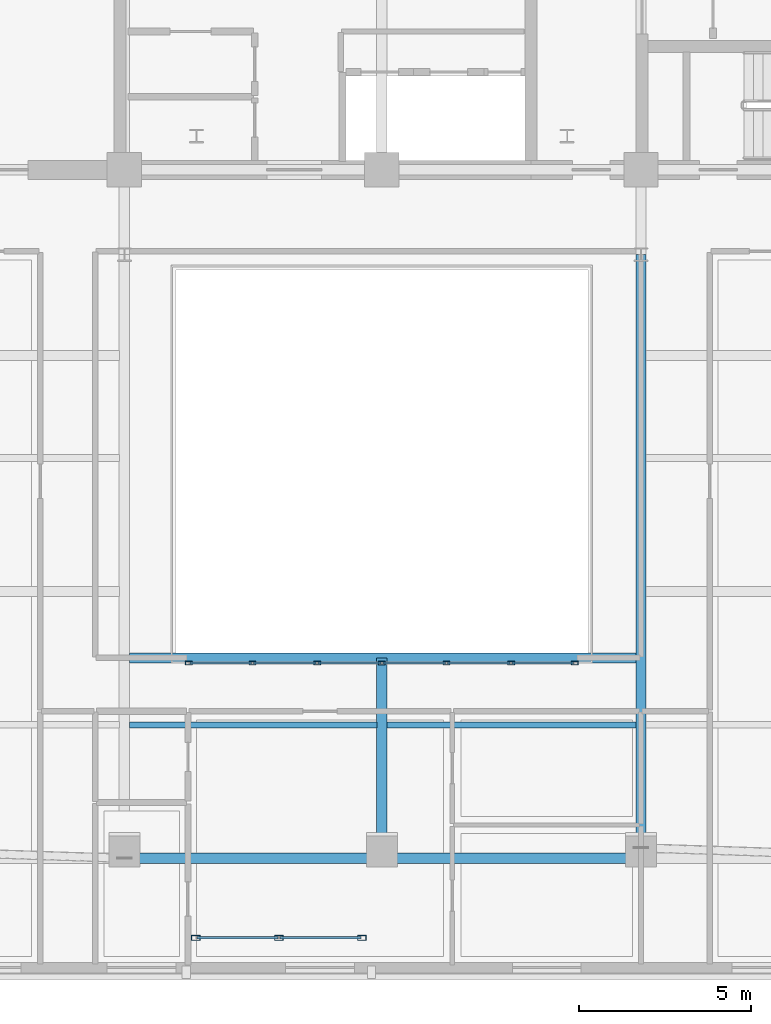
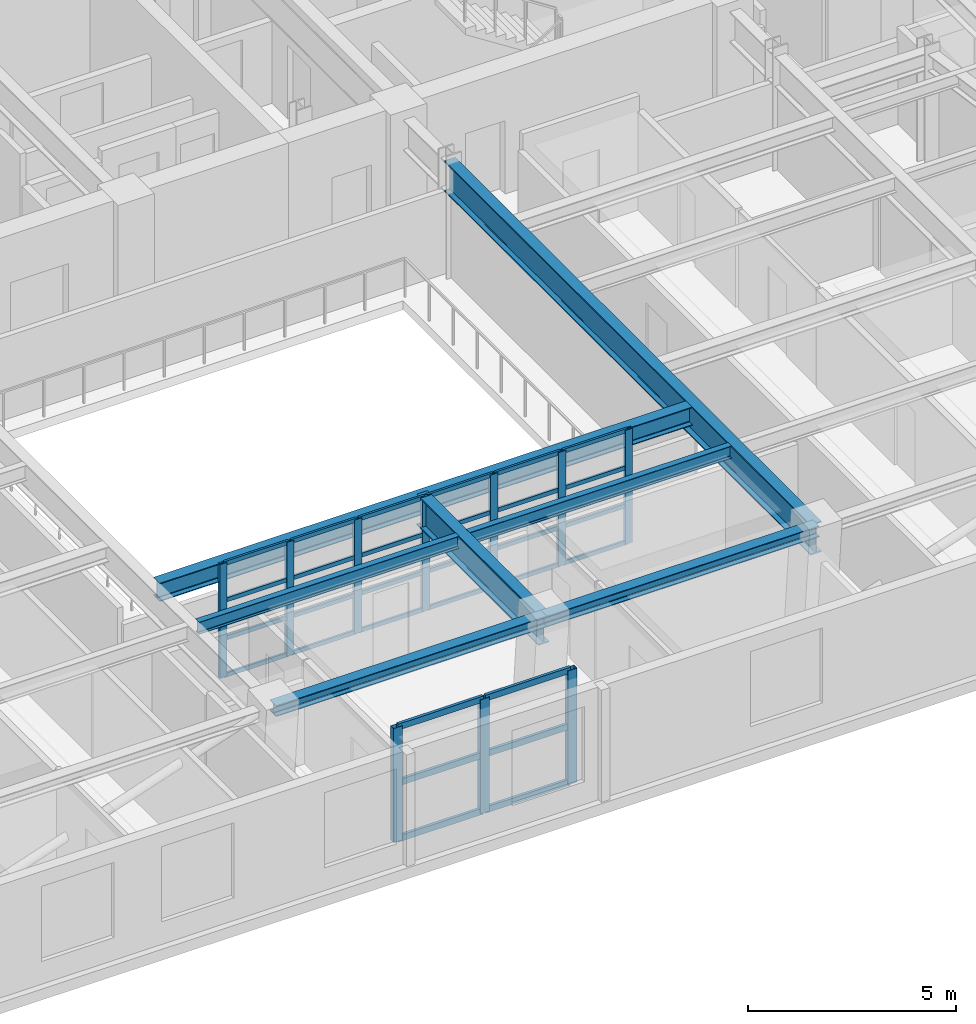
# One storey, part 2 of 15: 40 members, 7 beams, 2 elements without a shape of their own.
"""IFC4 building model written with IfcOpenShell, lengths in metres."""

from ifc_helpers import new_model, si_unit, direction, frame, origin, origin_2d, place, context, subcontext, project, spatial, hollow_rectangle, i_section, extrude, material, layer, layer_set, material_profile, profile_set, type_object, element, aggregate, save


model = new_model("IFC4")

# Units and contexts
model_context = context("Model", 3, precision=1e-05, world=origin(), true_north=direction((0.0, 1.0)))
body_context = subcontext(model_context, "Body", "Model", "MODEL_VIEW")
ifc_project = project(units=[si_unit("LENGTHUNIT", "METRE"), si_unit("AREAUNIT", "SQUARE_METRE"), si_unit("VOLUMEUNIT", "CUBIC_METRE"), si_unit("PLANEANGLEUNIT", "RADIAN"), si_unit("MASSUNIT", "GRAM", prefix="KILO")], contexts=[model_context])

# Site, building, storey
site_placement = place(None, origin())
site = spatial("IfcSite", under=ifc_project, at=site_placement, CompositionType="ELEMENT")
building_placement = place(site_placement, origin())
building = spatial("IfcBuilding", under=site, at=building_placement, Name="Zarnavel Station Tower", CompositionType="ELEMENT")
storey_placement = place(building_placement, frame((0.0, 0.0, 200.39990234375)))
storey = spatial("IfcBuildingStorey", under=building, at=storey_placement, Name="L54", CompositionType="ELEMENT", Elevation=200.39990234375)

# Curtain wall, members
ifc_material_1 = material(Name="Aluminium Dark Anodised and Solar-Control Glass", Category="aluminium")
ifc_layer_1 = layer(ifc_material_1, 0.179931640625)
ifc_layer_set_1 = layer_set([ifc_layer_1], Name="CWS5")
curtain_wall_type_1 = type_object("IfcCurtainWallType", Name="CWS5", PredefinedType="NOTDEFINED", material=ifc_layer_set_1)
curtain_wall_1_placement = place(storey_placement, origin())
curtain_wall_1 = element("IfcCurtainWall", 1, at=curtain_wall_1_placement, inside=storey, type_object=curtain_wall_type_1, Name="L54 Curtain Wall CWS5-L54-AS", PredefinedType="NOTDEFINED")
ifc_material_2 = material(Name="Steel S355J2 (Black Fluoropolymer Coated)", Category="steel")
ifc_material_profile_1 = material_profile(ifc_material_2, hollow_rectangle(XDim=0.10009765625, YDim=0.199951171875, WallThickness=0.008056640625, at=origin_2d()), Name="RHS200x100x8")
ifc_profile_set_1 = profile_set([ifc_material_profile_1], Name="Steel S355J2 (Black Fluoropolymer Coated)")
member_type_1 = type_object("IfcMemberType", Name="CWS5_MUL", PredefinedType="MULLION", material=ifc_profile_set_1)
member_1_placement = place(storey_placement, frame((23.179931640625, 13.449951171875, 0.0), z_axis=(0.0, 0.0, 1.0), x_axis=(0.0, 1.0, 0.0)))
member_1 = element("IfcMember", 2, at=member_1_placement, type_object=member_type_1, Name="CW5 mullion 1", PredefinedType="MULLION", context=body_context, shape_type="SweptSolid", body=[
    extrude(hollow_rectangle(XDim=0.10009765625, YDim=0.199951171875, WallThickness=0.008056640625, at=origin_2d()), origin(), (0.0, 0.0, 1.0), 3.340087890625),
])
member_2_placement = place(storey_placement, frame((25.033447265625, 13.449951171875, 0.0), z_axis=(0.0, 0.0, 1.0), x_axis=(0.0, 1.0, 0.0)))
member_2 = element("IfcMember", 3, at=member_2_placement, type_object=member_type_1, Name="CW5 mullion 2", PredefinedType="MULLION", context=body_context, shape_type="SweptSolid", body=[
    extrude(hollow_rectangle(XDim=0.10009765625, YDim=0.199951171875, WallThickness=0.008056640625, at=origin_2d()), origin(), (0.0, 0.0, 1.0), 3.340087890625),
])
member_3_placement = place(storey_placement, frame((26.916748046875, 13.449951171875, 0.0), z_axis=(0.0, 0.0, 1.0), x_axis=(0.0, 1.0, 0.0)))
member_3 = element("IfcMember", 4, at=member_3_placement, type_object=member_type_1, Name="CW5 mullion 3", PredefinedType="MULLION", context=body_context, shape_type="SweptSolid", body=[
    extrude(hollow_rectangle(XDim=0.10009765625, YDim=0.199951171875, WallThickness=0.008056640625, at=origin_2d()), origin(), (0.0, 0.0, 1.0), 3.340087890625),
])
member_4_placement = place(storey_placement, frame((28.800048828125, 13.449951171875, 0.0), z_axis=(0.0, 0.0, 1.0), x_axis=(0.0, 1.0, 0.0)))
member_4 = element("IfcMember", 5, at=member_4_placement, type_object=member_type_1, Name="CW5 mullion 4", PredefinedType="MULLION", context=body_context, shape_type="SweptSolid", body=[
    extrude(hollow_rectangle(XDim=0.10009765625, YDim=0.199951171875, WallThickness=0.008056640625, at=origin_2d()), origin(), (0.0, 0.0, 1.0), 3.340087890625),
])
member_5_placement = place(storey_placement, frame((30.683349609375, 13.449951171875, 0.0), z_axis=(0.0, 0.0, 1.0), x_axis=(0.0, 1.0, 0.0)))
member_5 = element("IfcMember", 6, at=member_5_placement, type_object=member_type_1, Name="CW5 mullion 5", PredefinedType="MULLION", context=body_context, shape_type="SweptSolid", body=[
    extrude(hollow_rectangle(XDim=0.10009765625, YDim=0.199951171875, WallThickness=0.008056640625, at=origin_2d()), origin(), (0.0, 0.0, 1.0), 3.340087890625),
])
member_6_placement = place(storey_placement, frame((32.566650390625, 13.449951171875, 0.0), z_axis=(0.0, 0.0, 1.0), x_axis=(0.0, 1.0, 0.0)))
member_6 = element("IfcMember", 7, at=member_6_placement, type_object=member_type_1, Name="CW5 mullion 6", PredefinedType="MULLION", context=body_context, shape_type="SweptSolid", body=[
    extrude(hollow_rectangle(XDim=0.10009765625, YDim=0.199951171875, WallThickness=0.008056640625, at=origin_2d()), origin(), (0.0, 0.0, 1.0), 3.340087890625),
])
member_7_placement = place(storey_placement, frame((34.419921875, 13.449951171875, 0.0), z_axis=(0.0, 0.0, 1.0), x_axis=(0.0, 1.0, 0.0)))
member_7 = element("IfcMember", 8, at=member_7_placement, type_object=member_type_1, Name="CW5 mullion 7", PredefinedType="MULLION", context=body_context, shape_type="SweptSolid", body=[
    extrude(hollow_rectangle(XDim=0.10009765625, YDim=0.199951171875, WallThickness=0.008056640625, at=origin_2d()), origin(), (0.0, 0.0, 1.0), 3.340087890625),
])
ifc_material_3 = material(Name="Steel S355J2 (Black Fluoropolymer Coated)", Category="steel")
ifc_material_profile_2 = material_profile(ifc_material_3, hollow_rectangle(XDim=0.06005859375, YDim=0.1201171875, WallThickness=0.0048828125, at=origin_2d()), Name="RHS120x60x5")
ifc_profile_set_2 = profile_set([ifc_material_profile_2], Name="Steel S355J2 (Black Fluoropolymer Coated)")
member_type_2 = type_object("IfcMemberType", Name="CWS5_TRN", PredefinedType="USERDEFINED", material=ifc_profile_set_2)
member_8_placement = place(storey_placement, frame((23.2099609375, 13.449951171875, 0.030029296875), z_axis=(1.0, 0.0, 0.0), x_axis=(0.0, 1.0, 0.0)))
member_8 = element("IfcMember", 9, at=member_8_placement, type_object=member_type_2, Name="CW5 transom 1.1", ObjectType="TRANSOM", PredefinedType="USERDEFINED", context=body_context, shape_type="SweptSolid", body=[
    extrude(hollow_rectangle(XDim=0.06005859375, YDim=0.1201171875, WallThickness=0.0048828125, at=origin_2d()), origin(), (0.0, 0.0, 1.0), 1.79345703125),
])
member_9_placement = place(storey_placement, frame((23.2099609375, 13.449951171875, 1.11328125), z_axis=(1.0, 0.0, 0.0), x_axis=(0.0, 1.0, 0.0)))
member_9 = element("IfcMember", 10, at=member_9_placement, type_object=member_type_2, Name="CW5 transom 1.2", ObjectType="TRANSOM", PredefinedType="USERDEFINED", context=body_context, shape_type="SweptSolid", body=[
    extrude(hollow_rectangle(XDim=0.06005859375, YDim=0.1201171875, WallThickness=0.0048828125, at=origin_2d()), origin(), (0.0, 0.0, 1.0), 1.79345703125),
])
member_10_placement = place(storey_placement, frame((23.2099609375, 13.449951171875, 2.226806640625), z_axis=(1.0, 0.0, 0.0), x_axis=(0.0, 1.0, 0.0)))
member_10 = element("IfcMember", 11, at=member_10_placement, type_object=member_type_2, Name="CW5 transom 1.3", ObjectType="TRANSOM", PredefinedType="USERDEFINED", context=body_context, shape_type="SweptSolid", body=[
    extrude(hollow_rectangle(XDim=0.06005859375, YDim=0.1201171875, WallThickness=0.0048828125, at=origin_2d()), origin(), (0.0, 0.0, 1.0), 1.79345703125),
])
member_11_placement = place(storey_placement, frame((23.2099609375, 13.449951171875, 3.31005859375), z_axis=(1.0, 0.0, 0.0), x_axis=(0.0, 1.0, 0.0)))
member_11 = element("IfcMember", 12, at=member_11_placement, type_object=member_type_2, Name="CW5 transom 1.4", ObjectType="TRANSOM", PredefinedType="USERDEFINED", context=body_context, shape_type="SweptSolid", body=[
    extrude(hollow_rectangle(XDim=0.06005859375, YDim=0.1201171875, WallThickness=0.0048828125, at=origin_2d()), origin(), (0.0, 0.0, 1.0), 1.79345703125),
])
member_12_placement = place(storey_placement, frame((25.063232421875, 13.449951171875, 0.030029296875), z_axis=(1.0, 0.0, 0.0), x_axis=(0.0, 1.0, 0.0)))
member_12 = element("IfcMember", 13, at=member_12_placement, type_object=member_type_2, Name="CW5 transom 2.1", ObjectType="TRANSOM", PredefinedType="USERDEFINED", context=body_context, shape_type="SweptSolid", body=[
    extrude(hollow_rectangle(XDim=0.06005859375, YDim=0.1201171875, WallThickness=0.0048828125, at=origin_2d()), origin(), (0.0, 0.0, 1.0), 1.823486328125),
])
member_13_placement = place(storey_placement, frame((25.063232421875, 13.449951171875, 1.11328125), z_axis=(1.0, 0.0, 0.0), x_axis=(0.0, 1.0, 0.0)))
member_13 = element("IfcMember", 14, at=member_13_placement, type_object=member_type_2, Name="CW5 transom 2.2", ObjectType="TRANSOM", PredefinedType="USERDEFINED", context=body_context, shape_type="SweptSolid", body=[
    extrude(hollow_rectangle(XDim=0.06005859375, YDim=0.1201171875, WallThickness=0.0048828125, at=origin_2d()), origin(), (0.0, 0.0, 1.0), 1.823486328125),
])
member_14_placement = place(storey_placement, frame((25.063232421875, 13.449951171875, 2.226806640625), z_axis=(1.0, 0.0, 0.0), x_axis=(0.0, 1.0, 0.0)))
member_14 = element("IfcMember", 15, at=member_14_placement, type_object=member_type_2, Name="CW5 transom 2.3", ObjectType="TRANSOM", PredefinedType="USERDEFINED", context=body_context, shape_type="SweptSolid", body=[
    extrude(hollow_rectangle(XDim=0.06005859375, YDim=0.1201171875, WallThickness=0.0048828125, at=origin_2d()), origin(), (0.0, 0.0, 1.0), 1.823486328125),
])
member_15_placement = place(storey_placement, frame((25.063232421875, 13.449951171875, 3.31005859375), z_axis=(1.0, 0.0, 0.0), x_axis=(0.0, 1.0, 0.0)))
member_15 = element("IfcMember", 16, at=member_15_placement, type_object=member_type_2, Name="CW5 transom 2.4", ObjectType="TRANSOM", PredefinedType="USERDEFINED", context=body_context, shape_type="SweptSolid", body=[
    extrude(hollow_rectangle(XDim=0.06005859375, YDim=0.1201171875, WallThickness=0.0048828125, at=origin_2d()), origin(), (0.0, 0.0, 1.0), 1.823486328125),
])
member_16_placement = place(storey_placement, frame((26.94677734375, 13.449951171875, 0.030029296875), z_axis=(1.0, 0.0, 0.0), x_axis=(0.0, 1.0, 0.0)))
member_16 = element("IfcMember", 17, at=member_16_placement, type_object=member_type_2, Name="CW5 transom 3.1", ObjectType="TRANSOM", PredefinedType="USERDEFINED", context=body_context, shape_type="SweptSolid", body=[
    extrude(hollow_rectangle(XDim=0.06005859375, YDim=0.1201171875, WallThickness=0.0048828125, at=origin_2d()), origin(), (0.0, 0.0, 1.0), 1.8232421875),
])
member_17_placement = place(storey_placement, frame((26.94677734375, 13.449951171875, 1.11328125), z_axis=(1.0, 0.0, 0.0), x_axis=(0.0, 1.0, 0.0)))
member_17 = element("IfcMember", 18, at=member_17_placement, type_object=member_type_2, Name="CW5 transom 3.2", ObjectType="TRANSOM", PredefinedType="USERDEFINED", context=body_context, shape_type="SweptSolid", body=[
    extrude(hollow_rectangle(XDim=0.06005859375, YDim=0.1201171875, WallThickness=0.0048828125, at=origin_2d()), origin(), (0.0, 0.0, 1.0), 1.8232421875),
])
member_18_placement = place(storey_placement, frame((26.94677734375, 13.449951171875, 2.226806640625), z_axis=(1.0, 0.0, 0.0), x_axis=(0.0, 1.0, 0.0)))
member_18 = element("IfcMember", 19, at=member_18_placement, type_object=member_type_2, Name="CW5 transom 3.3", ObjectType="TRANSOM", PredefinedType="USERDEFINED", context=body_context, shape_type="SweptSolid", body=[
    extrude(hollow_rectangle(XDim=0.06005859375, YDim=0.1201171875, WallThickness=0.0048828125, at=origin_2d()), origin(), (0.0, 0.0, 1.0), 1.8232421875),
])
member_19_placement = place(storey_placement, frame((26.94677734375, 13.449951171875, 3.31005859375), z_axis=(1.0, 0.0, 0.0), x_axis=(0.0, 1.0, 0.0)))
member_19 = element("IfcMember", 20, at=member_19_placement, type_object=member_type_2, Name="CW5 transom 3.4", ObjectType="TRANSOM", PredefinedType="USERDEFINED", context=body_context, shape_type="SweptSolid", body=[
    extrude(hollow_rectangle(XDim=0.06005859375, YDim=0.1201171875, WallThickness=0.0048828125, at=origin_2d()), origin(), (0.0, 0.0, 1.0), 1.8232421875),
])
member_20_placement = place(storey_placement, frame((28.830078125, 13.449951171875, 0.030029296875), z_axis=(1.0, 0.0, 0.0), x_axis=(0.0, 1.0, 0.0)))
member_20 = element("IfcMember", 21, at=member_20_placement, type_object=member_type_2, Name="CW5 transom 4.1", ObjectType="TRANSOM", PredefinedType="USERDEFINED", context=body_context, shape_type="SweptSolid", body=[
    extrude(hollow_rectangle(XDim=0.06005859375, YDim=0.1201171875, WallThickness=0.0048828125, at=origin_2d()), origin(), (0.0, 0.0, 1.0), 1.8232421875),
])
member_21_placement = place(storey_placement, frame((28.830078125, 13.449951171875, 1.11328125), z_axis=(1.0, 0.0, 0.0), x_axis=(0.0, 1.0, 0.0)))
member_21 = element("IfcMember", 22, at=member_21_placement, type_object=member_type_2, Name="CW5 transom 4.2", ObjectType="TRANSOM", PredefinedType="USERDEFINED", context=body_context, shape_type="SweptSolid", body=[
    extrude(hollow_rectangle(XDim=0.06005859375, YDim=0.1201171875, WallThickness=0.0048828125, at=origin_2d()), origin(), (0.0, 0.0, 1.0), 1.8232421875),
])
member_22_placement = place(storey_placement, frame((28.830078125, 13.449951171875, 2.226806640625), z_axis=(1.0, 0.0, 0.0), x_axis=(0.0, 1.0, 0.0)))
member_22 = element("IfcMember", 23, at=member_22_placement, type_object=member_type_2, Name="CW5 transom 4.3", ObjectType="TRANSOM", PredefinedType="USERDEFINED", context=body_context, shape_type="SweptSolid", body=[
    extrude(hollow_rectangle(XDim=0.06005859375, YDim=0.1201171875, WallThickness=0.0048828125, at=origin_2d()), origin(), (0.0, 0.0, 1.0), 1.8232421875),
])
member_23_placement = place(storey_placement, frame((28.830078125, 13.449951171875, 3.31005859375), z_axis=(1.0, 0.0, 0.0), x_axis=(0.0, 1.0, 0.0)))
member_23 = element("IfcMember", 24, at=member_23_placement, type_object=member_type_2, Name="CW5 transom 4.4", ObjectType="TRANSOM", PredefinedType="USERDEFINED", context=body_context, shape_type="SweptSolid", body=[
    extrude(hollow_rectangle(XDim=0.06005859375, YDim=0.1201171875, WallThickness=0.0048828125, at=origin_2d()), origin(), (0.0, 0.0, 1.0), 1.8232421875),
])
member_24_placement = place(storey_placement, frame((30.71337890625, 13.449951171875, 0.030029296875), z_axis=(1.0, 0.0, 0.0), x_axis=(0.0, 1.0, 0.0)))
member_24 = element("IfcMember", 25, at=member_24_placement, type_object=member_type_2, Name="CW5 transom 5.1", ObjectType="TRANSOM", PredefinedType="USERDEFINED", context=body_context, shape_type="SweptSolid", body=[
    extrude(hollow_rectangle(XDim=0.06005859375, YDim=0.1201171875, WallThickness=0.0048828125, at=origin_2d()), origin(), (0.0, 0.0, 1.0), 1.8232421875),
])
member_25_placement = place(storey_placement, frame((30.71337890625, 13.449951171875, 1.11328125), z_axis=(1.0, 0.0, 0.0), x_axis=(0.0, 1.0, 0.0)))
member_25 = element("IfcMember", 26, at=member_25_placement, type_object=member_type_2, Name="CW5 transom 5.2", ObjectType="TRANSOM", PredefinedType="USERDEFINED", context=body_context, shape_type="SweptSolid", body=[
    extrude(hollow_rectangle(XDim=0.06005859375, YDim=0.1201171875, WallThickness=0.0048828125, at=origin_2d()), origin(), (0.0, 0.0, 1.0), 1.8232421875),
])
member_26_placement = place(storey_placement, frame((30.71337890625, 13.449951171875, 2.226806640625), z_axis=(1.0, 0.0, 0.0), x_axis=(0.0, 1.0, 0.0)))
member_26 = element("IfcMember", 27, at=member_26_placement, type_object=member_type_2, Name="CW5 transom 5.3", ObjectType="TRANSOM", PredefinedType="USERDEFINED", context=body_context, shape_type="SweptSolid", body=[
    extrude(hollow_rectangle(XDim=0.06005859375, YDim=0.1201171875, WallThickness=0.0048828125, at=origin_2d()), origin(), (0.0, 0.0, 1.0), 1.8232421875),
])
member_27_placement = place(storey_placement, frame((30.71337890625, 13.449951171875, 3.31005859375), z_axis=(1.0, 0.0, 0.0), x_axis=(0.0, 1.0, 0.0)))
member_27 = element("IfcMember", 28, at=member_27_placement, type_object=member_type_2, Name="CW5 transom 5.4", ObjectType="TRANSOM", PredefinedType="USERDEFINED", context=body_context, shape_type="SweptSolid", body=[
    extrude(hollow_rectangle(XDim=0.06005859375, YDim=0.1201171875, WallThickness=0.0048828125, at=origin_2d()), origin(), (0.0, 0.0, 1.0), 1.8232421875),
])
member_28_placement = place(storey_placement, frame((32.5966796875, 13.449951171875, 0.030029296875), z_axis=(1.0, 0.0, 0.0), x_axis=(0.0, 1.0, 0.0)))
member_28 = element("IfcMember", 29, at=member_28_placement, type_object=member_type_2, Name="CW5 transom 6.1", ObjectType="TRANSOM", PredefinedType="USERDEFINED", context=body_context, shape_type="SweptSolid", body=[
    extrude(hollow_rectangle(XDim=0.06005859375, YDim=0.1201171875, WallThickness=0.0048828125, at=origin_2d()), origin(), (0.0, 0.0, 1.0), 1.793212890625),
])
member_29_placement = place(storey_placement, frame((32.5966796875, 13.449951171875, 1.11328125), z_axis=(1.0, 0.0, 0.0), x_axis=(0.0, 1.0, 0.0)))
member_29 = element("IfcMember", 30, at=member_29_placement, type_object=member_type_2, Name="CW5 transom 6.2", ObjectType="TRANSOM", PredefinedType="USERDEFINED", context=body_context, shape_type="SweptSolid", body=[
    extrude(hollow_rectangle(XDim=0.06005859375, YDim=0.1201171875, WallThickness=0.0048828125, at=origin_2d()), origin(), (0.0, 0.0, 1.0), 1.793212890625),
])
member_30_placement = place(storey_placement, frame((32.5966796875, 13.449951171875, 2.226806640625), z_axis=(1.0, 0.0, 0.0), x_axis=(0.0, 1.0, 0.0)))
member_30 = element("IfcMember", 31, at=member_30_placement, type_object=member_type_2, Name="CW5 transom 6.3", ObjectType="TRANSOM", PredefinedType="USERDEFINED", context=body_context, shape_type="SweptSolid", body=[
    extrude(hollow_rectangle(XDim=0.06005859375, YDim=0.1201171875, WallThickness=0.0048828125, at=origin_2d()), origin(), (0.0, 0.0, 1.0), 1.793212890625),
])
member_31_placement = place(storey_placement, frame((32.5966796875, 13.449951171875, 3.31005859375), z_axis=(1.0, 0.0, 0.0), x_axis=(0.0, 1.0, 0.0)))
member_31 = element("IfcMember", 32, at=member_31_placement, type_object=member_type_2, Name="CW5 transom 6.4", ObjectType="TRANSOM", PredefinedType="USERDEFINED", context=body_context, shape_type="SweptSolid", body=[
    extrude(hollow_rectangle(XDim=0.06005859375, YDim=0.1201171875, WallThickness=0.0048828125, at=origin_2d()), origin(), (0.0, 0.0, 1.0), 1.793212890625),
])
aggregate(curtain_wall_1, [member_1, member_2, member_3, member_4, member_5, member_6, member_7, member_8, member_9, member_10, member_11, member_12, member_13, member_14, member_15, member_16, member_17, member_18, member_19, member_20, member_21, member_22, member_23, member_24, member_25, member_26, member_27, member_28, member_29, member_30, member_31])

ifc_material_4 = material(Name="Aluminium Dark Anodised and Solar-Control Glass", Category="aluminium")
ifc_layer_2 = layer(ifc_material_4, 0.179931640625)
ifc_layer_set_2 = layer_set([ifc_layer_2], Name="CWS6")
curtain_wall_type_2 = type_object("IfcCurtainWallType", Name="CWS6", PredefinedType="NOTDEFINED", material=ifc_layer_set_2)
curtain_wall_2_placement = place(storey_placement, origin())
curtain_wall_2 = element("IfcCurtainWall", 33, at=curtain_wall_2_placement, inside=storey, type_object=curtain_wall_type_2, Name="L54 Curtain Wall CWS6-LOG-L54", PredefinedType="NOTDEFINED")
ifc_material_5 = material(Name="Steel S355J2 (Black Fluoropolymer Coated)", Category="steel")
ifc_material_profile_3 = material_profile(ifc_material_5, hollow_rectangle(XDim=0.14990234375, YDim=0.25, WallThickness=0.010009765625, at=origin_2d()), Name="RHS250x150x10")
ifc_profile_set_3 = profile_set([ifc_material_profile_3], Name="Steel S355J2 (Black Fluoropolymer Coated)")
member_type_3 = type_object("IfcMemberType", Name="CWS6_MUL", PredefinedType="MULLION", material=ifc_profile_set_3)
member_32_placement = place(storey_placement, frame((23.3798828125, 5.449951171875, 0.0), z_axis=(0.0, 0.0, 1.0), x_axis=(0.0, 1.0, 0.0)))
member_32 = element("IfcMember", 34, at=member_32_placement, type_object=member_type_3, Name="CW6 mullion 1", PredefinedType="MULLION", context=body_context, shape_type="SweptSolid", body=[
    extrude(hollow_rectangle(XDim=0.14990234375, YDim=0.25, WallThickness=0.010009765625, at=origin_2d()), origin(), (0.0, 0.0, 1.0), 3.340087890625),
])
member_33_placement = place(storey_placement, frame((25.800048828125, 5.449951171875, 0.0), z_axis=(0.0, 0.0, 1.0), x_axis=(0.0, 1.0, 0.0)))
member_33 = element("IfcMember", 35, at=member_33_placement, type_object=member_type_3, Name="CW6 mullion 2", PredefinedType="MULLION", context=body_context, shape_type="SweptSolid", body=[
    extrude(hollow_rectangle(XDim=0.14990234375, YDim=0.25, WallThickness=0.010009765625, at=origin_2d()), origin(), (0.0, 0.0, 1.0), 3.340087890625),
])
member_34_placement = place(storey_placement, frame((28.219970703125, 5.449951171875, 0.0), z_axis=(0.0, 0.0, 1.0), x_axis=(0.0, 1.0, 0.0)))
member_34 = element("IfcMember", 36, at=member_34_placement, type_object=member_type_3, Name="CW6 mullion 3", PredefinedType="MULLION", context=body_context, shape_type="SweptSolid", body=[
    extrude(hollow_rectangle(XDim=0.14990234375, YDim=0.25, WallThickness=0.010009765625, at=origin_2d()), origin(), (0.0, 0.0, 1.0), 3.340087890625),
])
ifc_material_6 = material(Name="Steel S355J2 (Black Fluoropolymer Coated)", Category="steel")
ifc_material_profile_4 = material_profile(ifc_material_6, hollow_rectangle(XDim=0.080078125, YDim=0.179931640625, WallThickness=0.00634765625, at=origin_2d()), Name="RHS180x80x6.3")
ifc_profile_set_4 = profile_set([ifc_material_profile_4], Name="Steel S355J2 (Black Fluoropolymer Coated)")
member_type_4 = type_object("IfcMemberType", Name="CWS6_TRN", PredefinedType="USERDEFINED", material=ifc_profile_set_4)
member_35_placement = place(storey_placement, frame((23.409912109375, 5.449951171875, 0.030029296875), z_axis=(1.0, 0.0, 0.0), x_axis=(0.0, 1.0, 0.0)))
member_35 = element("IfcMember", 37, at=member_35_placement, type_object=member_type_4, Name="CW6 transom 1.1", ObjectType="TRANSOM", PredefinedType="USERDEFINED", context=body_context, shape_type="SweptSolid", body=[
    extrude(hollow_rectangle(XDim=0.080078125, YDim=0.179931640625, WallThickness=0.00634765625, at=origin_2d()), origin(), (0.0, 0.0, 1.0), 2.360107421875),
])
member_36_placement = place(storey_placement, frame((23.409912109375, 5.449951171875, 1.670166015625), z_axis=(1.0, 0.0, 0.0), x_axis=(0.0, 1.0, 0.0)))
member_36 = element("IfcMember", 38, at=member_36_placement, type_object=member_type_4, Name="CW6 transom 1.2", ObjectType="TRANSOM", PredefinedType="USERDEFINED", context=body_context, shape_type="SweptSolid", body=[
    extrude(hollow_rectangle(XDim=0.080078125, YDim=0.179931640625, WallThickness=0.00634765625, at=origin_2d()), origin(), (0.0, 0.0, 1.0), 2.360107421875),
])
member_37_placement = place(storey_placement, frame((23.409912109375, 5.449951171875, 3.31005859375), z_axis=(1.0, 0.0, 0.0), x_axis=(0.0, 1.0, 0.0)))
member_37 = element("IfcMember", 39, at=member_37_placement, type_object=member_type_4, Name="CW6 transom 1.3", ObjectType="TRANSOM", PredefinedType="USERDEFINED", context=body_context, shape_type="SweptSolid", body=[
    extrude(hollow_rectangle(XDim=0.080078125, YDim=0.179931640625, WallThickness=0.00634765625, at=origin_2d()), origin(), (0.0, 0.0, 1.0), 2.360107421875),
])
member_38_placement = place(storey_placement, frame((25.830078125, 5.449951171875, 0.030029296875), z_axis=(1.0, 0.0, 0.0), x_axis=(0.0, 1.0, 0.0)))
member_38 = element("IfcMember", 40, at=member_38_placement, type_object=member_type_4, Name="CW6 transom 2.1", ObjectType="TRANSOM", PredefinedType="USERDEFINED", context=body_context, shape_type="SweptSolid", body=[
    extrude(hollow_rectangle(XDim=0.080078125, YDim=0.179931640625, WallThickness=0.00634765625, at=origin_2d()), origin(), (0.0, 0.0, 1.0), 2.35986328125),
])
member_39_placement = place(storey_placement, frame((25.830078125, 5.449951171875, 1.670166015625), z_axis=(1.0, 0.0, 0.0), x_axis=(0.0, 1.0, 0.0)))
member_39 = element("IfcMember", 41, at=member_39_placement, type_object=member_type_4, Name="CW6 transom 2.2", ObjectType="TRANSOM", PredefinedType="USERDEFINED", context=body_context, shape_type="SweptSolid", body=[
    extrude(hollow_rectangle(XDim=0.080078125, YDim=0.179931640625, WallThickness=0.00634765625, at=origin_2d()), origin(), (0.0, 0.0, 1.0), 2.35986328125),
])
member_40_placement = place(storey_placement, frame((25.830078125, 5.449951171875, 3.31005859375), z_axis=(1.0, 0.0, 0.0), x_axis=(0.0, 1.0, 0.0)))
member_40 = element("IfcMember", 42, at=member_40_placement, type_object=member_type_4, Name="CW6 transom 2.3", ObjectType="TRANSOM", PredefinedType="USERDEFINED", context=body_context, shape_type="SweptSolid", body=[
    extrude(hollow_rectangle(XDim=0.080078125, YDim=0.179931640625, WallThickness=0.00634765625, at=origin_2d()), origin(), (0.0, 0.0, 1.0), 2.35986328125),
])
aggregate(curtain_wall_2, [member_32, member_33, member_34, member_35, member_36, member_37, member_38, member_39, member_40])

# Beams
ifc_material_7 = material(Name="Steel S355J2", Category="steel")
ifc_material_profile_5 = material_profile(ifc_material_7, i_section(OverallWidth=0.300048828125, OverallDepth=0.320068359375, WebThickness=0.011474609375, FlangeThickness=0.0205078125, FilletRadius=0.027099609375, at=origin_2d()), Name="HEB320")
ifc_profile_set_5 = profile_set([ifc_material_profile_5], Name="Steel S355J2")
beam_type_1 = type_object("IfcBeamType", Name="EB_HEB320", PredefinedType="SPANDREL", material=ifc_profile_set_5)
beam_1_placement = place(storey_placement, frame((21.300048828125, 7.76513671875, 3.18017578125), z_axis=(1.0, 0.0, 0.0), x_axis=(0.0, 1.0, 0.0)))
element("IfcBeam", 43, at=beam_1_placement, inside=storey, type_object=beam_type_1, Name="L54 South Raked Spandrel 2", PredefinedType="SPANDREL", context=body_context, shape_type="SweptSolid", body=[
    extrude(i_section(OverallWidth=0.300048828125, OverallDepth=0.320068359375, WebThickness=0.011474609375, FlangeThickness=0.0205078125, FilletRadius=0.027099609375, at=origin_2d()), origin(), (0.0, 0.0, 1.0), 7.5),
])
beam_2_placement = place(storey_placement, frame((28.800048828125, 7.76513671875, 3.18017578125), z_axis=(1.0, 0.0, 0.0), x_axis=(0.0, 1.0, 0.0)))
element("IfcBeam", 44, at=beam_2_placement, inside=storey, type_object=beam_type_1, Name="L54 South Raked Spandrel 3", PredefinedType="SPANDREL", context=body_context, shape_type="SweptSolid", body=[
    extrude(i_section(OverallWidth=0.300048828125, OverallDepth=0.320068359375, WebThickness=0.011474609375, FlangeThickness=0.0205078125, FilletRadius=0.027099609375, at=origin_2d()), origin(), (0.0, 0.0, 1.0), 7.550048828125),
])
ifc_material_8 = material(Name="Steel S355J2", Category="steel")
ifc_material_profile_6 = material_profile(ifc_material_8, i_section(OverallWidth=0.300048828125, OverallDepth=0.5400390625, WebThickness=0.012451171875, FlangeThickness=0.02392578125, FilletRadius=0.027099609375, at=origin_2d()), Name="HEA550")
ifc_profile_set_6 = profile_set([ifc_material_profile_6], Name="Steel S355J2")
beam_type_2 = type_object("IfcBeamType", Name="FB_HEA550", PredefinedType="BEAM", material=ifc_profile_set_6)
beam_3_placement = place(storey_placement, frame((21.445068359375, 13.60009765625, 3.070068359375), z_axis=(1.0, 0.0, 0.0), x_axis=(0.0, 1.0, 0.0)))
element("IfcBeam", 45, at=beam_3_placement, inside=storey, type_object=beam_type_2, Name="L54 Atrium South Edge Girder", PredefinedType="BEAM", context=body_context, shape_type="SweptSolid", body=[
    extrude(i_section(OverallWidth=0.300048828125, OverallDepth=0.5400390625, WebThickness=0.012451171875, FlangeThickness=0.02392578125, FilletRadius=0.027099609375, at=origin_2d()), origin(), (0.0, 0.0, 1.0), 14.760009765625),
])
ifc_material_9 = material(Name="Steel S355J2", Category="steel")
ifc_material_profile_7 = material_profile(ifc_material_9, i_section(OverallWidth=0.300048828125, OverallDepth=0.89990234375, WebThickness=0.0185546875, FlangeThickness=0.034912109375, FilletRadius=0.030029296875, at=origin_2d()), Name="HEB900")
ifc_profile_set_7 = profile_set([ifc_material_profile_7], Name="Steel S355J2")
beam_type_3 = type_object("IfcBeamType", Name="FG_HEB900", PredefinedType="USERDEFINED", material=ifc_profile_set_7)
beam_4_placement = place(storey_placement, frame((28.800048828125, 7.76513671875, 2.89013671875), z_axis=(0.0, 1.0, 0.0), x_axis=(-1.0, 0.0, 0.0)))
element("IfcBeam", 46, at=beam_4_placement, inside=storey, type_object=beam_type_3, Name="L54 Central Atrium-South Girder", ObjectType="GIRDER", PredefinedType="USERDEFINED", context=body_context, shape_type="SweptSolid", body=[
    extrude(i_section(OverallWidth=0.300048828125, OverallDepth=0.89990234375, WebThickness=0.0185546875, FlangeThickness=0.034912109375, FilletRadius=0.030029296875, at=origin_2d()), origin(), (0.0, 0.0, 1.0), 5.8349609375),
])
beam_5_placement = place(storey_placement, frame((36.35009765625, 7.76513671875, 2.89013671875), z_axis=(0.0, 1.0, 0.0), x_axis=(-1.0, 0.0, 0.0)))
element("IfcBeam", 47, at=beam_5_placement, inside=storey, type_object=beam_type_3, Name="L54 South-Zone NS Girder 4", ObjectType="GIRDER", PredefinedType="USERDEFINED", context=body_context, shape_type="SweptSolid", body=[
    extrude(i_section(OverallWidth=0.300048828125, OverallDepth=0.89990234375, WebThickness=0.0185546875, FlangeThickness=0.034912109375, FilletRadius=0.030029296875, at=origin_2d()), origin(), (0.0, 0.0, 1.0), 17.5849609375),
])
ifc_material_10 = material(Name="Steel S355J2", Category="steel")
ifc_material_profile_8 = material_profile(ifc_material_10, i_section(OverallWidth=0.169921875, OverallDepth=0.360107421875, WebThickness=0.008056640625, FlangeThickness=0.0126953125, FilletRadius=0.01806640625, at=origin_2d()), Name="IPE360")
ifc_profile_set_8 = profile_set([ifc_material_profile_8], Name="Steel S355J2")
beam_type_4 = type_object("IfcBeamType", Name="FJ_IPE360", PredefinedType="JOIST", material=ifc_profile_set_8)
beam_6_placement = place(storey_placement, frame((21.445068359375, 11.652099609375, 3.16015625), z_axis=(1.0, 0.0, 0.0), x_axis=(0.0, 1.0, 0.0)))
element("IfcBeam", 48, at=beam_6_placement, inside=storey, type_object=beam_type_4, Name="L54 Mid-West Joist 1", PredefinedType="JOIST", context=body_context, shape_type="SweptSolid", body=[
    extrude(i_section(OverallWidth=0.169921875, OverallDepth=0.360107421875, WebThickness=0.008056640625, FlangeThickness=0.0126953125, FilletRadius=0.01806640625, at=origin_2d()), origin(), (0.0, 0.0, 1.0), 7.2099609375),
])
beam_7_placement = place(storey_placement, frame((28.945068359375, 11.652099609375, 3.16015625), z_axis=(1.0, 0.0, 0.0), x_axis=(0.0, 1.0, 0.0)))
element("IfcBeam", 49, at=beam_7_placement, inside=storey, type_object=beam_type_4, Name="L54 Mid-East Joist 1", PredefinedType="JOIST", context=body_context, shape_type="SweptSolid", body=[
    extrude(i_section(OverallWidth=0.169921875, OverallDepth=0.360107421875, WebThickness=0.008056640625, FlangeThickness=0.0126953125, FilletRadius=0.01806640625, at=origin_2d()), origin(), (0.0, 0.0, 1.0), 7.260009765625),
])

save(model, "model.ifc")
